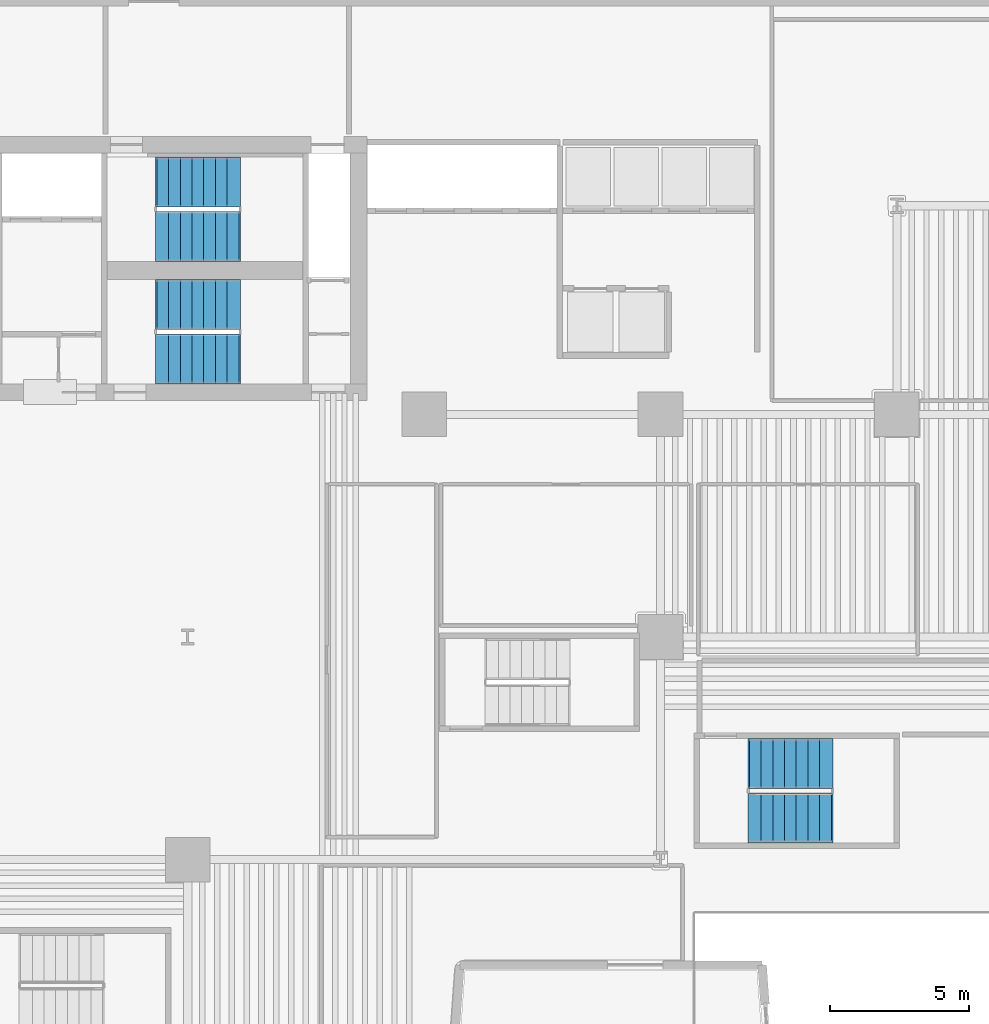
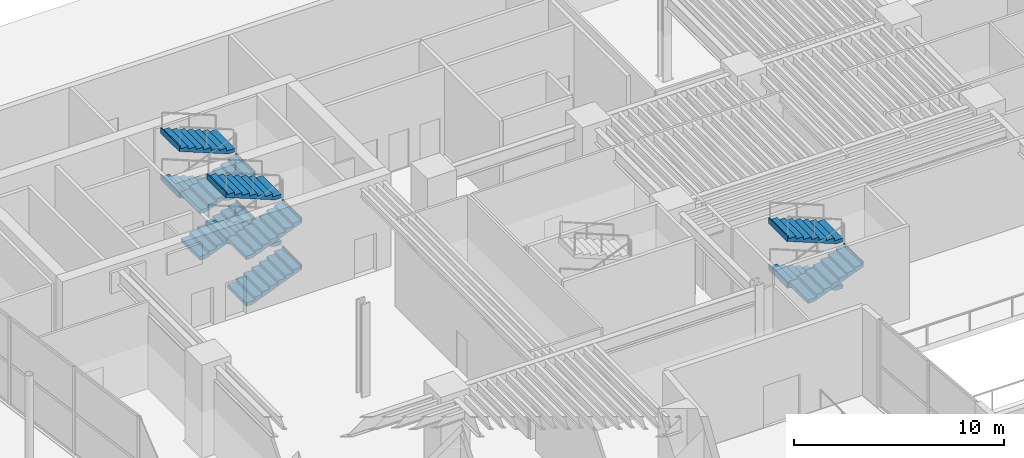
# One storey, part 12 of 18: 11 stair flights, 3 elements without a shape of their own.
"""IFC4 building model written with IfcOpenShell, lengths in metres."""

from ifc_helpers import new_model, si_unit, direction, frame, origin, place, context, subcontext, project, spatial, polyline, outline, extrude, material, type_object, element, aggregate, save


model = new_model("IFC4")

# Units and contexts
model_context = context("Model", 3, precision=1e-05, world=origin(), true_north=direction((0.0, 1.0)))
body_context = subcontext(model_context, "Body", "Model", "MODEL_VIEW")
ifc_project = project(units=[si_unit("LENGTHUNIT", "METRE"), si_unit("AREAUNIT", "SQUARE_METRE"), si_unit("VOLUMEUNIT", "CUBIC_METRE"), si_unit("PLANEANGLEUNIT", "RADIAN"), si_unit("MASSUNIT", "GRAM", prefix="KILO")], contexts=[model_context])

# Site, building, storey
site_placement = place(None, origin())
site = spatial("IfcSite", under=ifc_project, at=site_placement, CompositionType="ELEMENT")
building_placement = place(site_placement, origin())
building = spatial("IfcBuilding", under=site, at=building_placement, Name="Caeloran Harvest Quay", CompositionType="ELEMENT")
storey_placement = place(building_placement, origin())
storey = spatial("IfcBuildingStorey", under=building, at=storey_placement, Name="L01", CompositionType="ELEMENT", Elevation=0.0)

# Stair, stair flights
ifc_material = material(Name="Concrete C50/60", Category="concrete")
stair_type_1 = type_object("IfcStairType", Name="STAIR-STC-180", PredefinedType="HALF_TURN_STAIR", material=ifc_material)
stair_1_placement = place(storey_placement, origin())
stair_1 = element("IfcStair", 1, at=stair_1_placement, inside=storey, type_object=stair_type_1, Name="L01 Core Pressurized Exit Stair ST-C1", PredefinedType="HALF_TURN_STAIR")
stair_flight_type_1 = type_object("IfcStairFlightType", Name="FLIGHT-STC-180", PredefinedType="STRAIGHT", material=ifc_material)
stair_flight_1_placement = place(storey_placement, frame((15.89990234375, 37.39990234375, 0.0), z_axis=(0.0, 0.0, 1.0), x_axis=(1.0, 0.0, 0.0)))
stair_flight_1 = element("IfcStairFlight", 2, at=stair_flight_1_placement, type_object=stair_flight_type_1, Name="ST-C1 flight 1", NumberOfRisers=8, NumberOfTreads=7, PredefinedType="STRAIGHT", RiserHeight=0.16875, TreadLength=0.42, context=body_context, shape_type="SweptSolid", body=[
    extrude(outline(polyline([(-0.054931640625, -0.044921875), (-0.054931640625, -0.03173828125), (-0.054931640625, -0.018310546875), (-0.054931640625, -0.0048828125), (-0.054931640625, 0.008544921875), (-0.054931640625, 0.021728515625), (-0.054931640625, 0.03515625), (-0.054931640625, 0.048583984375), (-0.054931640625, 0.061767578125), (-0.054931640625, 0.0751953125), (-0.054931640625, 0.088623046875), (-0.054931640625, 0.10205078125), (-0.054931640625, 0.115234375), (-0.054931640625, 0.128662109375), (-0.054931640625, 0.14208984375), (-0.054931640625, 0.1552734375), (-0.054931640625, 0.168701171875), (0.419921875, 0.168701171875), (0.419921875, 0.33740234375), (0.840087890625, 0.33740234375), (0.840087890625, 0.50634765625), (1.260009765625, 0.50634765625), (1.260009765625, 0.675048828125), (1.679931640625, 0.675048828125), (1.679931640625, 0.84375), (2.10009765625, 0.84375), (2.10009765625, 1.012451171875), (2.52001953125, 1.012451171875), (2.52001953125, 1.18115234375), (2.93994140625, 1.18115234375), (2.93994140625, 1.35009765625), (2.9951171875, 1.35009765625), (2.9951171875, 1.329345703125), (2.9951171875, 1.30859375), (2.9951171875, 1.2880859375), (2.9951171875, 1.267333984375), (2.9951171875, 1.246826171875), (2.9951171875, 1.22607421875), (2.9951171875, 1.20556640625), (2.9951171875, 1.184814453125), (2.9951171875, 1.164306640625), (2.9951171875, 1.1435546875), (2.9951171875, 1.122802734375), (2.9951171875, 1.102294921875), (2.9951171875, 1.08154296875), (2.9951171875, 1.06103515625), (2.9951171875, 1.040283203125), (2.9951171875, 1.019775390625), (2.93994140625, 1.019775390625), (0.2900390625, -0.044921875), (-0.054931640625, -0.044921875)])), frame((0.0, 0.89990234375, 0.0), z_axis=(0.0, -1.0, 0.0), x_axis=(1.0, 0.0, 0.0)), (0.0, 0.0, 1.0), 1.800048828125),
])
stair_flight_2_placement = place(storey_placement, frame((18.840087890625, 39.35009765625, 1.35009765625), z_axis=(0.0, 0.0, 1.0), x_axis=(-1.0, 0.0, 0.0)))
stair_flight_2 = element("IfcStairFlight", 3, at=stair_flight_2_placement, type_object=stair_flight_type_1, Name="ST-C1 flight 2", NumberOfRisers=8, NumberOfTreads=7, PredefinedType="STRAIGHT", RiserHeight=0.16875, TreadLength=0.42, context=body_context, shape_type="SweptSolid", body=[
    extrude(outline(polyline([(-0.054931640625, -0.044921875), (-0.054931640625, -0.03173828125), (-0.054931640625, -0.018310546875), (-0.054931640625, -0.0048828125), (-0.054931640625, 0.008544921875), (-0.054931640625, 0.021728515625), (-0.054931640625, 0.03515625), (-0.054931640625, 0.048583984375), (-0.054931640625, 0.061767578125), (-0.054931640625, 0.0751953125), (-0.054931640625, 0.088623046875), (-0.054931640625, 0.10205078125), (-0.054931640625, 0.115234375), (-0.054931640625, 0.128662109375), (-0.054931640625, 0.14208984375), (-0.054931640625, 0.1552734375), (-0.054931640625, 0.168701171875), (0.419921875, 0.168701171875), (0.419921875, 0.33740234375), (0.840087890625, 0.33740234375), (0.840087890625, 0.50634765625), (1.260009765625, 0.50634765625), (1.260009765625, 0.675048828125), (1.679931640625, 0.675048828125), (1.679931640625, 0.84375), (2.10009765625, 0.84375), (2.10009765625, 1.012451171875), (2.52001953125, 1.012451171875), (2.52001953125, 1.18115234375), (2.93994140625, 1.18115234375), (2.93994140625, 1.35009765625), (2.9951171875, 1.35009765625), (2.9951171875, 1.329345703125), (2.9951171875, 1.30859375), (2.9951171875, 1.2880859375), (2.9951171875, 1.267333984375), (2.9951171875, 1.246826171875), (2.9951171875, 1.22607421875), (2.9951171875, 1.20556640625), (2.9951171875, 1.184814453125), (2.9951171875, 1.164306640625), (2.9951171875, 1.1435546875), (2.9951171875, 1.122802734375), (2.9951171875, 1.102294921875), (2.9951171875, 1.08154296875), (2.9951171875, 1.06103515625), (2.9951171875, 1.040283203125), (2.9951171875, 1.019775390625), (2.93994140625, 1.019775390625), (0.2900390625, -0.044921875), (-0.054931640625, -0.044921875)])), frame((0.0, 0.89990234375, 0.0), z_axis=(0.0, -1.0, 0.0), x_axis=(1.0, 0.0, 0.0)), (0.0, 0.0, 1.0), 1.800048828125),
])
stair_flight_3_placement = place(storey_placement, frame((15.89990234375, 37.39990234375, 2.699951171875), z_axis=(0.0, 0.0, 1.0), x_axis=(1.0, 0.0, 0.0)))
stair_flight_3 = element("IfcStairFlight", 4, at=stair_flight_3_placement, type_object=stair_flight_type_1, Name="ST-C1 flight 3", NumberOfRisers=8, NumberOfTreads=7, PredefinedType="STRAIGHT", RiserHeight=0.16875, TreadLength=0.42, context=body_context, shape_type="SweptSolid", body=[
    extrude(outline(polyline([(-0.054931640625, -0.044921875), (-0.054931640625, -0.03173828125), (-0.054931640625, -0.018310546875), (-0.054931640625, -0.0048828125), (-0.054931640625, 0.008544921875), (-0.054931640625, 0.021728515625), (-0.054931640625, 0.03515625), (-0.054931640625, 0.048583984375), (-0.054931640625, 0.061767578125), (-0.054931640625, 0.0751953125), (-0.054931640625, 0.088623046875), (-0.054931640625, 0.10205078125), (-0.054931640625, 0.115234375), (-0.054931640625, 0.128662109375), (-0.054931640625, 0.14208984375), (-0.054931640625, 0.1552734375), (-0.054931640625, 0.168701171875), (0.419921875, 0.168701171875), (0.419921875, 0.33740234375), (0.840087890625, 0.33740234375), (0.840087890625, 0.50634765625), (1.260009765625, 0.50634765625), (1.260009765625, 0.675048828125), (1.679931640625, 0.675048828125), (1.679931640625, 0.84375), (2.10009765625, 0.84375), (2.10009765625, 1.012451171875), (2.52001953125, 1.012451171875), (2.52001953125, 1.18115234375), (2.93994140625, 1.18115234375), (2.93994140625, 1.35009765625), (2.9951171875, 1.35009765625), (2.9951171875, 1.329345703125), (2.9951171875, 1.30859375), (2.9951171875, 1.2880859375), (2.9951171875, 1.267333984375), (2.9951171875, 1.246826171875), (2.9951171875, 1.22607421875), (2.9951171875, 1.20556640625), (2.9951171875, 1.184814453125), (2.9951171875, 1.164306640625), (2.9951171875, 1.1435546875), (2.9951171875, 1.122802734375), (2.9951171875, 1.102294921875), (2.9951171875, 1.08154296875), (2.9951171875, 1.06103515625), (2.9951171875, 1.040283203125), (2.9951171875, 1.019775390625), (2.93994140625, 1.019775390625), (0.2900390625, -0.044921875), (-0.054931640625, -0.044921875)])), frame((0.0, 0.89990234375, 0.0), z_axis=(0.0, -1.0, 0.0), x_axis=(1.0, 0.0, 0.0)), (0.0, 0.0, 1.0), 1.800048828125),
])
stair_flight_4_placement = place(storey_placement, frame((18.840087890625, 39.35009765625, 4.050048828125), z_axis=(0.0, 0.0, 1.0), x_axis=(-1.0, 0.0, 0.0)))
stair_flight_4 = element("IfcStairFlight", 5, at=stair_flight_4_placement, type_object=stair_flight_type_1, Name="ST-C1 flight 4", NumberOfRisers=8, NumberOfTreads=7, PredefinedType="STRAIGHT", RiserHeight=0.16875, TreadLength=0.42, context=body_context, shape_type="SweptSolid", body=[
    extrude(outline(polyline([(-0.054931640625, -0.044921875), (-0.054931640625, -0.03173828125), (-0.054931640625, -0.018310546875), (-0.054931640625, -0.0048828125), (-0.054931640625, 0.008544921875), (-0.054931640625, 0.021728515625), (-0.054931640625, 0.03515625), (-0.054931640625, 0.048583984375), (-0.054931640625, 0.061767578125), (-0.054931640625, 0.0751953125), (-0.054931640625, 0.088623046875), (-0.054931640625, 0.10205078125), (-0.054931640625, 0.115234375), (-0.054931640625, 0.128662109375), (-0.054931640625, 0.14208984375), (-0.054931640625, 0.1552734375), (-0.054931640625, 0.168701171875), (0.419921875, 0.168701171875), (0.419921875, 0.33740234375), (0.840087890625, 0.33740234375), (0.840087890625, 0.50634765625), (1.260009765625, 0.50634765625), (1.260009765625, 0.675048828125), (1.679931640625, 0.675048828125), (1.679931640625, 0.84375), (2.10009765625, 0.84375), (2.10009765625, 1.012451171875), (2.52001953125, 1.012451171875), (2.52001953125, 1.18115234375), (2.93994140625, 1.18115234375), (2.93994140625, 1.35009765625), (2.9951171875, 1.35009765625), (2.9951171875, 1.329345703125), (2.9951171875, 1.30859375), (2.9951171875, 1.2880859375), (2.9951171875, 1.267333984375), (2.9951171875, 1.246826171875), (2.9951171875, 1.22607421875), (2.9951171875, 1.20556640625), (2.9951171875, 1.184814453125), (2.9951171875, 1.164306640625), (2.9951171875, 1.1435546875), (2.9951171875, 1.122802734375), (2.9951171875, 1.102294921875), (2.9951171875, 1.08154296875), (2.9951171875, 1.06103515625), (2.9951171875, 1.040283203125), (2.9951171875, 1.019775390625), (2.93994140625, 1.019775390625), (0.2900390625, -0.044921875), (-0.054931640625, -0.044921875)])), frame((0.0, 0.89990234375, 0.0), z_axis=(0.0, -1.0, 0.0), x_axis=(1.0, 0.0, 0.0)), (0.0, 0.0, 1.0), 1.800048828125),
])
aggregate(stair_1, [stair_flight_1, stair_flight_2, stair_flight_3, stair_flight_4])

stair_2_placement = place(storey_placement, origin())
stair_2 = element("IfcStair", 6, at=stair_2_placement, inside=storey, type_object=stair_type_1, Name="L01 Core Pressurized Exit Stair ST-C2", PredefinedType="HALF_TURN_STAIR")
stair_flight_5_placement = place(storey_placement, frame((15.89990234375, 33.0, 0.0), z_axis=(0.0, 0.0, 1.0), x_axis=(1.0, 0.0, 0.0)))
stair_flight_5 = element("IfcStairFlight", 7, at=stair_flight_5_placement, type_object=stair_flight_type_1, Name="ST-C2 flight 1", NumberOfRisers=8, NumberOfTreads=7, PredefinedType="STRAIGHT", RiserHeight=0.16875, TreadLength=0.42, context=body_context, shape_type="SweptSolid", body=[
    extrude(outline(polyline([(-0.054931640625, -0.044921875), (-0.054931640625, -0.03173828125), (-0.054931640625, -0.018310546875), (-0.054931640625, -0.0048828125), (-0.054931640625, 0.008544921875), (-0.054931640625, 0.021728515625), (-0.054931640625, 0.03515625), (-0.054931640625, 0.048583984375), (-0.054931640625, 0.061767578125), (-0.054931640625, 0.0751953125), (-0.054931640625, 0.088623046875), (-0.054931640625, 0.10205078125), (-0.054931640625, 0.115234375), (-0.054931640625, 0.128662109375), (-0.054931640625, 0.14208984375), (-0.054931640625, 0.1552734375), (-0.054931640625, 0.168701171875), (0.419921875, 0.168701171875), (0.419921875, 0.33740234375), (0.840087890625, 0.33740234375), (0.840087890625, 0.50634765625), (1.260009765625, 0.50634765625), (1.260009765625, 0.675048828125), (1.679931640625, 0.675048828125), (1.679931640625, 0.84375), (2.10009765625, 0.84375), (2.10009765625, 1.012451171875), (2.52001953125, 1.012451171875), (2.52001953125, 1.18115234375), (2.93994140625, 1.18115234375), (2.93994140625, 1.35009765625), (2.9951171875, 1.35009765625), (2.9951171875, 1.329345703125), (2.9951171875, 1.30859375), (2.9951171875, 1.2880859375), (2.9951171875, 1.267333984375), (2.9951171875, 1.246826171875), (2.9951171875, 1.22607421875), (2.9951171875, 1.20556640625), (2.9951171875, 1.184814453125), (2.9951171875, 1.164306640625), (2.9951171875, 1.1435546875), (2.9951171875, 1.122802734375), (2.9951171875, 1.102294921875), (2.9951171875, 1.08154296875), (2.9951171875, 1.06103515625), (2.9951171875, 1.040283203125), (2.9951171875, 1.019775390625), (2.93994140625, 1.019775390625), (0.2900390625, -0.044921875), (-0.054931640625, -0.044921875)])), frame((0.0, 0.89990234375, 0.0), z_axis=(0.0, -1.0, 0.0), x_axis=(1.0, 0.0, 0.0)), (0.0, 0.0, 1.0), 1.800048828125),
])
stair_flight_6_placement = place(storey_placement, frame((18.840087890625, 34.949951171875, 1.35009765625), z_axis=(0.0, 0.0, 1.0), x_axis=(-1.0, 0.0, 0.0)))
stair_flight_6 = element("IfcStairFlight", 8, at=stair_flight_6_placement, type_object=stair_flight_type_1, Name="ST-C2 flight 2", NumberOfRisers=8, NumberOfTreads=7, PredefinedType="STRAIGHT", RiserHeight=0.16875, TreadLength=0.42, context=body_context, shape_type="SweptSolid", body=[
    extrude(outline(polyline([(-0.054931640625, -0.044921875), (-0.054931640625, -0.03173828125), (-0.054931640625, -0.018310546875), (-0.054931640625, -0.0048828125), (-0.054931640625, 0.008544921875), (-0.054931640625, 0.021728515625), (-0.054931640625, 0.03515625), (-0.054931640625, 0.048583984375), (-0.054931640625, 0.061767578125), (-0.054931640625, 0.0751953125), (-0.054931640625, 0.088623046875), (-0.054931640625, 0.10205078125), (-0.054931640625, 0.115234375), (-0.054931640625, 0.128662109375), (-0.054931640625, 0.14208984375), (-0.054931640625, 0.1552734375), (-0.054931640625, 0.168701171875), (0.419921875, 0.168701171875), (0.419921875, 0.33740234375), (0.840087890625, 0.33740234375), (0.840087890625, 0.50634765625), (1.260009765625, 0.50634765625), (1.260009765625, 0.675048828125), (1.679931640625, 0.675048828125), (1.679931640625, 0.84375), (2.10009765625, 0.84375), (2.10009765625, 1.012451171875), (2.52001953125, 1.012451171875), (2.52001953125, 1.18115234375), (2.93994140625, 1.18115234375), (2.93994140625, 1.35009765625), (2.9951171875, 1.35009765625), (2.9951171875, 1.329345703125), (2.9951171875, 1.30859375), (2.9951171875, 1.2880859375), (2.9951171875, 1.267333984375), (2.9951171875, 1.246826171875), (2.9951171875, 1.22607421875), (2.9951171875, 1.20556640625), (2.9951171875, 1.184814453125), (2.9951171875, 1.164306640625), (2.9951171875, 1.1435546875), (2.9951171875, 1.122802734375), (2.9951171875, 1.102294921875), (2.9951171875, 1.08154296875), (2.9951171875, 1.06103515625), (2.9951171875, 1.040283203125), (2.9951171875, 1.019775390625), (2.93994140625, 1.019775390625), (0.2900390625, -0.044921875), (-0.054931640625, -0.044921875)])), frame((0.0, 0.89990234375, 0.0), z_axis=(0.0, -1.0, 0.0), x_axis=(1.0, 0.0, 0.0)), (0.0, 0.0, 1.0), 1.800048828125),
])
stair_flight_7_placement = place(storey_placement, frame((15.89990234375, 33.0, 2.699951171875), z_axis=(0.0, 0.0, 1.0), x_axis=(1.0, 0.0, 0.0)))
stair_flight_7 = element("IfcStairFlight", 9, at=stair_flight_7_placement, type_object=stair_flight_type_1, Name="ST-C2 flight 3", NumberOfRisers=8, NumberOfTreads=7, PredefinedType="STRAIGHT", RiserHeight=0.16875, TreadLength=0.42, context=body_context, shape_type="SweptSolid", body=[
    extrude(outline(polyline([(-0.054931640625, -0.044921875), (-0.054931640625, -0.03173828125), (-0.054931640625, -0.018310546875), (-0.054931640625, -0.0048828125), (-0.054931640625, 0.008544921875), (-0.054931640625, 0.021728515625), (-0.054931640625, 0.03515625), (-0.054931640625, 0.048583984375), (-0.054931640625, 0.061767578125), (-0.054931640625, 0.0751953125), (-0.054931640625, 0.088623046875), (-0.054931640625, 0.10205078125), (-0.054931640625, 0.115234375), (-0.054931640625, 0.128662109375), (-0.054931640625, 0.14208984375), (-0.054931640625, 0.1552734375), (-0.054931640625, 0.168701171875), (0.419921875, 0.168701171875), (0.419921875, 0.33740234375), (0.840087890625, 0.33740234375), (0.840087890625, 0.50634765625), (1.260009765625, 0.50634765625), (1.260009765625, 0.675048828125), (1.679931640625, 0.675048828125), (1.679931640625, 0.84375), (2.10009765625, 0.84375), (2.10009765625, 1.012451171875), (2.52001953125, 1.012451171875), (2.52001953125, 1.18115234375), (2.93994140625, 1.18115234375), (2.93994140625, 1.35009765625), (2.9951171875, 1.35009765625), (2.9951171875, 1.329345703125), (2.9951171875, 1.30859375), (2.9951171875, 1.2880859375), (2.9951171875, 1.267333984375), (2.9951171875, 1.246826171875), (2.9951171875, 1.22607421875), (2.9951171875, 1.20556640625), (2.9951171875, 1.184814453125), (2.9951171875, 1.164306640625), (2.9951171875, 1.1435546875), (2.9951171875, 1.122802734375), (2.9951171875, 1.102294921875), (2.9951171875, 1.08154296875), (2.9951171875, 1.06103515625), (2.9951171875, 1.040283203125), (2.9951171875, 1.019775390625), (2.93994140625, 1.019775390625), (0.2900390625, -0.044921875), (-0.054931640625, -0.044921875)])), frame((0.0, 0.89990234375, 0.0), z_axis=(0.0, -1.0, 0.0), x_axis=(1.0, 0.0, 0.0)), (0.0, 0.0, 1.0), 1.800048828125),
])
stair_flight_8_placement = place(storey_placement, frame((18.840087890625, 34.949951171875, 4.050048828125), z_axis=(0.0, 0.0, 1.0), x_axis=(-1.0, 0.0, 0.0)))
stair_flight_8 = element("IfcStairFlight", 10, at=stair_flight_8_placement, type_object=stair_flight_type_1, Name="ST-C2 flight 4", NumberOfRisers=8, NumberOfTreads=7, PredefinedType="STRAIGHT", RiserHeight=0.16875, TreadLength=0.42, context=body_context, shape_type="SweptSolid", body=[
    extrude(outline(polyline([(-0.054931640625, -0.044921875), (-0.054931640625, -0.03173828125), (-0.054931640625, -0.018310546875), (-0.054931640625, -0.0048828125), (-0.054931640625, 0.008544921875), (-0.054931640625, 0.021728515625), (-0.054931640625, 0.03515625), (-0.054931640625, 0.048583984375), (-0.054931640625, 0.061767578125), (-0.054931640625, 0.0751953125), (-0.054931640625, 0.088623046875), (-0.054931640625, 0.10205078125), (-0.054931640625, 0.115234375), (-0.054931640625, 0.128662109375), (-0.054931640625, 0.14208984375), (-0.054931640625, 0.1552734375), (-0.054931640625, 0.168701171875), (0.419921875, 0.168701171875), (0.419921875, 0.33740234375), (0.840087890625, 0.33740234375), (0.840087890625, 0.50634765625), (1.260009765625, 0.50634765625), (1.260009765625, 0.675048828125), (1.679931640625, 0.675048828125), (1.679931640625, 0.84375), (2.10009765625, 0.84375), (2.10009765625, 1.012451171875), (2.52001953125, 1.012451171875), (2.52001953125, 1.18115234375), (2.93994140625, 1.18115234375), (2.93994140625, 1.35009765625), (2.9951171875, 1.35009765625), (2.9951171875, 1.329345703125), (2.9951171875, 1.30859375), (2.9951171875, 1.2880859375), (2.9951171875, 1.267333984375), (2.9951171875, 1.246826171875), (2.9951171875, 1.22607421875), (2.9951171875, 1.20556640625), (2.9951171875, 1.184814453125), (2.9951171875, 1.164306640625), (2.9951171875, 1.1435546875), (2.9951171875, 1.122802734375), (2.9951171875, 1.102294921875), (2.9951171875, 1.08154296875), (2.9951171875, 1.06103515625), (2.9951171875, 1.040283203125), (2.9951171875, 1.019775390625), (2.93994140625, 1.019775390625), (0.2900390625, -0.044921875), (-0.054931640625, -0.044921875)])), frame((0.0, 0.89990234375, 0.0), z_axis=(0.0, -1.0, 0.0), x_axis=(1.0, 0.0, 0.0)), (0.0, 0.0, 1.0), 1.800048828125),
])
aggregate(stair_2, [stair_flight_5, stair_flight_6, stair_flight_7, stair_flight_8])

stair_type_2 = type_object("IfcStairType", Name="STAIR-STP-180", PredefinedType="HALF_TURN_STAIR", material=ifc_material)
stair_3_placement = place(storey_placement, origin())
stair_3 = element("IfcStair", 11, at=stair_3_placement, inside=storey, type_object=stair_type_2, Name="L01 Podium East Public Exit Stair ST-P2", PredefinedType="HALF_TURN_STAIR")
stair_flight_type_2 = type_object("IfcStairFlightType", Name="FLIGHT-STP-180", PredefinedType="STRAIGHT", material=ifc_material)
stair_flight_9_placement = place(storey_placement, frame((40.139892578125, 18.449951171875, 1.35009765625), z_axis=(0.0, 0.0, 1.0), x_axis=(-1.0, 0.0, 0.0)))
stair_flight_9 = element("IfcStairFlight", 12, at=stair_flight_9_placement, type_object=stair_flight_type_2, Name="ST-P2 flight 2", NumberOfRisers=8, NumberOfTreads=7, PredefinedType="STRAIGHT", RiserHeight=0.16875, TreadLength=0.42, context=body_context, shape_type="SweptSolid", body=[
    extrude(outline(polyline([(-0.054931640625, -0.044921875), (-0.054931640625, -0.03173828125), (-0.054931640625, -0.018310546875), (-0.054931640625, -0.0048828125), (-0.054931640625, 0.008544921875), (-0.054931640625, 0.021728515625), (-0.054931640625, 0.03515625), (-0.054931640625, 0.048583984375), (-0.054931640625, 0.061767578125), (-0.054931640625, 0.0751953125), (-0.054931640625, 0.088623046875), (-0.054931640625, 0.10205078125), (-0.054931640625, 0.115234375), (-0.054931640625, 0.128662109375), (-0.054931640625, 0.14208984375), (-0.054931640625, 0.1552734375), (-0.054931640625, 0.168701171875), (0.419921875, 0.168701171875), (0.419921875, 0.33740234375), (0.840087890625, 0.33740234375), (0.840087890625, 0.50634765625), (1.260009765625, 0.50634765625), (1.260009765625, 0.675048828125), (1.679931640625, 0.675048828125), (1.679931640625, 0.84375), (2.10009765625, 0.84375), (2.10009765625, 1.012451171875), (2.52001953125, 1.012451171875), (2.52001953125, 1.18115234375), (2.93994140625, 1.18115234375), (2.93994140625, 1.35009765625), (2.9951171875, 1.35009765625), (2.9951171875, 1.329345703125), (2.9951171875, 1.30859375), (2.9951171875, 1.2880859375), (2.9951171875, 1.267333984375), (2.9951171875, 1.246826171875), (2.9951171875, 1.22607421875), (2.9951171875, 1.20556640625), (2.9951171875, 1.184814453125), (2.9951171875, 1.164306640625), (2.9951171875, 1.1435546875), (2.9951171875, 1.122802734375), (2.9951171875, 1.102294921875), (2.9951171875, 1.08154296875), (2.9951171875, 1.06103515625), (2.9951171875, 1.040283203125), (2.9951171875, 1.019775390625), (2.93994140625, 1.019775390625), (0.2900390625, -0.044921875), (-0.054931640625, -0.044921875)])), frame((0.0, 0.89990234375, 0.0), z_axis=(0.0, -1.0, 0.0), x_axis=(1.0, 0.0, 0.0)), (0.0, 0.0, 1.0), 1.800048828125),
])
stair_flight_10_placement = place(storey_placement, frame((37.199951171875, 16.5, 2.699951171875), z_axis=(0.0, 0.0, 1.0), x_axis=(1.0, 0.0, 0.0)))
stair_flight_10 = element("IfcStairFlight", 13, at=stair_flight_10_placement, type_object=stair_flight_type_2, Name="ST-P2 flight 3", NumberOfRisers=8, NumberOfTreads=7, PredefinedType="STRAIGHT", RiserHeight=0.16875, TreadLength=0.42, context=body_context, shape_type="SweptSolid", body=[
    extrude(outline(polyline([(-0.054931640625, -0.044921875), (-0.054931640625, -0.03173828125), (-0.054931640625, -0.018310546875), (-0.054931640625, -0.0048828125), (-0.054931640625, 0.008544921875), (-0.054931640625, 0.021728515625), (-0.054931640625, 0.03515625), (-0.054931640625, 0.048583984375), (-0.054931640625, 0.061767578125), (-0.054931640625, 0.0751953125), (-0.054931640625, 0.088623046875), (-0.054931640625, 0.10205078125), (-0.054931640625, 0.115234375), (-0.054931640625, 0.128662109375), (-0.054931640625, 0.14208984375), (-0.054931640625, 0.1552734375), (-0.054931640625, 0.168701171875), (0.419921875, 0.168701171875), (0.419921875, 0.33740234375), (0.840087890625, 0.33740234375), (0.840087890625, 0.50634765625), (1.260009765625, 0.50634765625), (1.260009765625, 0.675048828125), (1.679931640625, 0.675048828125), (1.679931640625, 0.84375), (2.10009765625, 0.84375), (2.10009765625, 1.012451171875), (2.52001953125, 1.012451171875), (2.52001953125, 1.18115234375), (2.93994140625, 1.18115234375), (2.93994140625, 1.35009765625), (2.9951171875, 1.35009765625), (2.9951171875, 1.329345703125), (2.9951171875, 1.30859375), (2.9951171875, 1.2880859375), (2.9951171875, 1.267333984375), (2.9951171875, 1.246826171875), (2.9951171875, 1.22607421875), (2.9951171875, 1.20556640625), (2.9951171875, 1.184814453125), (2.9951171875, 1.164306640625), (2.9951171875, 1.1435546875), (2.9951171875, 1.122802734375), (2.9951171875, 1.102294921875), (2.9951171875, 1.08154296875), (2.9951171875, 1.06103515625), (2.9951171875, 1.040283203125), (2.9951171875, 1.019775390625), (2.93994140625, 1.019775390625), (0.2900390625, -0.044921875), (-0.054931640625, -0.044921875)])), frame((0.0, 0.89990234375, 0.0), z_axis=(0.0, -1.0, 0.0), x_axis=(1.0, 0.0, 0.0)), (0.0, 0.0, 1.0), 1.800048828125),
])
stair_flight_11_placement = place(storey_placement, frame((40.139892578125, 18.449951171875, 4.050048828125), z_axis=(0.0, 0.0, 1.0), x_axis=(-1.0, 0.0, 0.0)))
stair_flight_11 = element("IfcStairFlight", 14, at=stair_flight_11_placement, type_object=stair_flight_type_2, Name="ST-P2 flight 4", NumberOfRisers=8, NumberOfTreads=7, PredefinedType="STRAIGHT", RiserHeight=0.16875, TreadLength=0.42, context=body_context, shape_type="SweptSolid", body=[
    extrude(outline(polyline([(-0.054931640625, -0.044921875), (-0.054931640625, -0.03173828125), (-0.054931640625, -0.018310546875), (-0.054931640625, -0.0048828125), (-0.054931640625, 0.008544921875), (-0.054931640625, 0.021728515625), (-0.054931640625, 0.03515625), (-0.054931640625, 0.048583984375), (-0.054931640625, 0.061767578125), (-0.054931640625, 0.0751953125), (-0.054931640625, 0.088623046875), (-0.054931640625, 0.10205078125), (-0.054931640625, 0.115234375), (-0.054931640625, 0.128662109375), (-0.054931640625, 0.14208984375), (-0.054931640625, 0.1552734375), (-0.054931640625, 0.168701171875), (0.419921875, 0.168701171875), (0.419921875, 0.33740234375), (0.840087890625, 0.33740234375), (0.840087890625, 0.50634765625), (1.260009765625, 0.50634765625), (1.260009765625, 0.675048828125), (1.679931640625, 0.675048828125), (1.679931640625, 0.84375), (2.10009765625, 0.84375), (2.10009765625, 1.012451171875), (2.52001953125, 1.012451171875), (2.52001953125, 1.18115234375), (2.93994140625, 1.18115234375), (2.93994140625, 1.35009765625), (2.9951171875, 1.35009765625), (2.9951171875, 1.329345703125), (2.9951171875, 1.30859375), (2.9951171875, 1.2880859375), (2.9951171875, 1.267333984375), (2.9951171875, 1.246826171875), (2.9951171875, 1.22607421875), (2.9951171875, 1.20556640625), (2.9951171875, 1.184814453125), (2.9951171875, 1.164306640625), (2.9951171875, 1.1435546875), (2.9951171875, 1.122802734375), (2.9951171875, 1.102294921875), (2.9951171875, 1.08154296875), (2.9951171875, 1.06103515625), (2.9951171875, 1.040283203125), (2.9951171875, 1.019775390625), (2.93994140625, 1.019775390625), (0.2900390625, -0.044921875), (-0.054931640625, -0.044921875)])), frame((0.0, 0.89990234375, 0.0), z_axis=(0.0, -1.0, 0.0), x_axis=(1.0, 0.0, 0.0)), (0.0, 0.0, 1.0), 1.800048828125),
])
aggregate(stair_3, [stair_flight_9, stair_flight_10, stair_flight_11])

save(model, "model.ifc")
